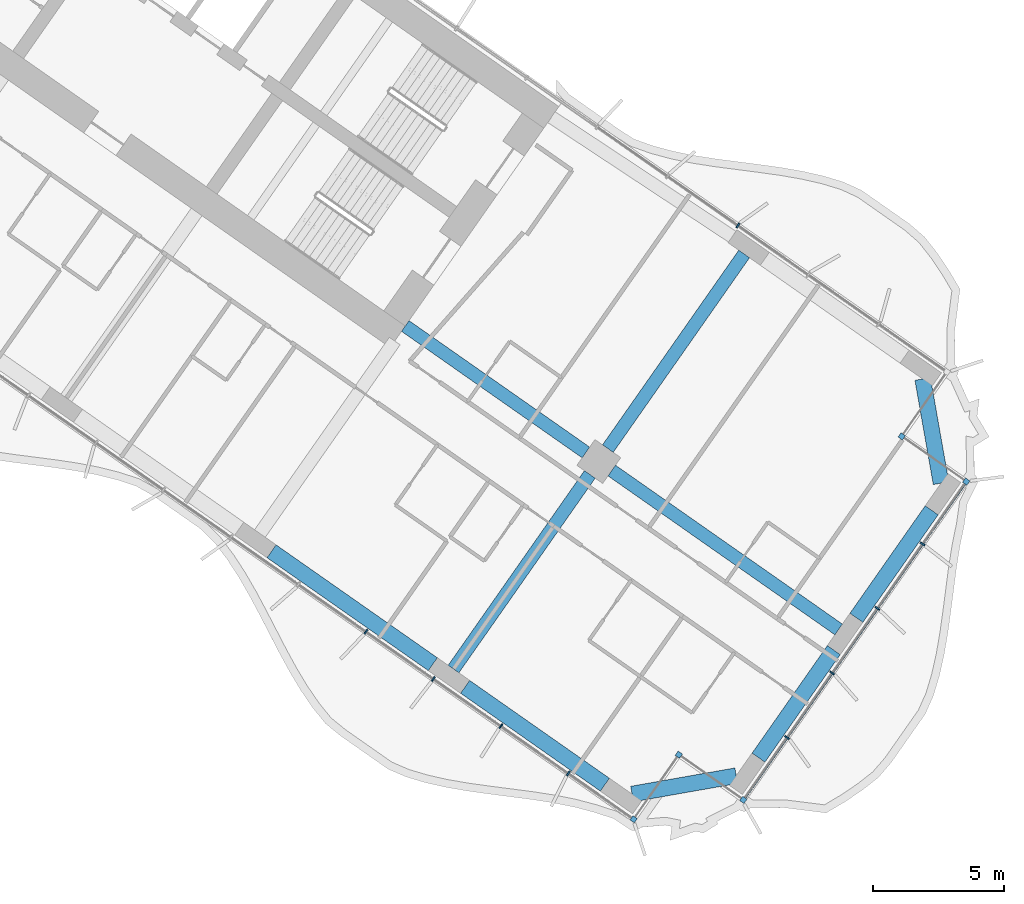
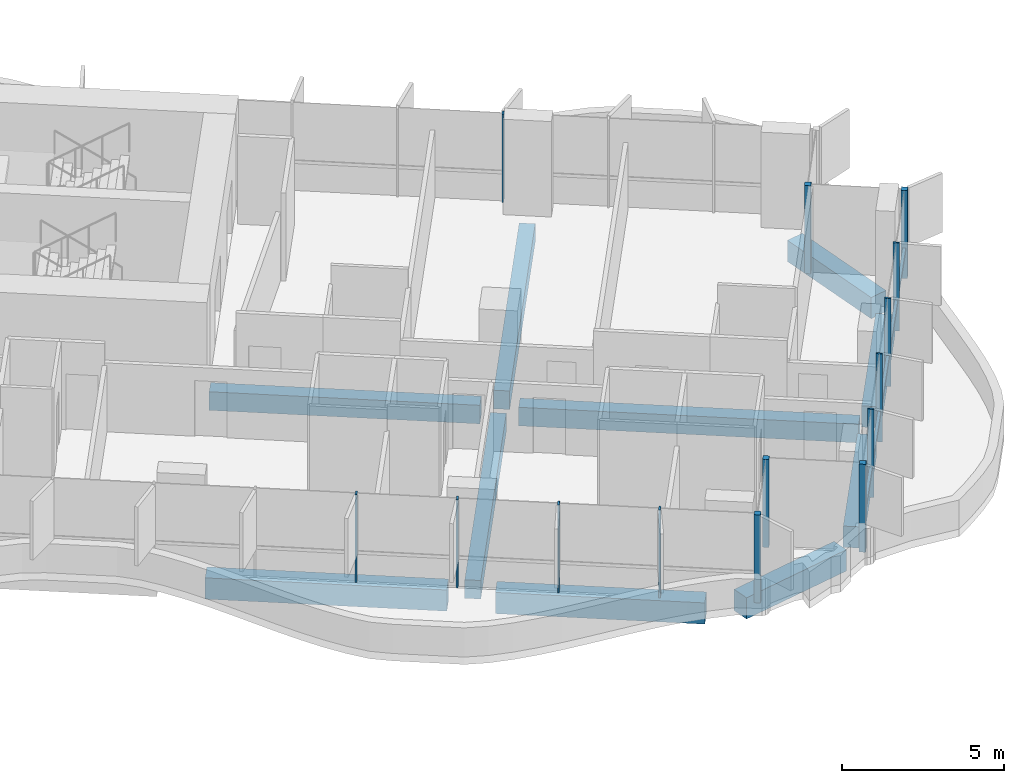
# One storey, part 9 of 24: 15 members, 10 beams, 1 element without a shape of its own.
"""IFC4 building model written with IfcOpenShell, lengths in metres."""

from ifc_helpers import new_model, si_unit, direction, frame, origin, origin_2d, place, context, subcontext, project, spatial, rectangle, extrude, material, material_profile, profile_set, type_object, element, aggregate, save


model = new_model("IFC4")

# Units and contexts
model_context = context("Model", 3, precision=1e-05, world=origin(), true_north=direction((0.0, 1.0)))
body_context = subcontext(model_context, "Body", "Model", "MODEL_VIEW")
ifc_project = project(units=[si_unit("LENGTHUNIT", "METRE"), si_unit("AREAUNIT", "SQUARE_METRE"), si_unit("VOLUMEUNIT", "CUBIC_METRE"), si_unit("PLANEANGLEUNIT", "RADIAN"), si_unit("MASSUNIT", "GRAM", prefix="KILO")], contexts=[model_context])

# Site, building, storey
site_placement = place(None, origin())
site = spatial("IfcSite", under=ifc_project, at=site_placement, CompositionType="ELEMENT")
building_placement = place(site_placement, origin())
building = spatial("IfcBuilding", under=site, at=building_placement, Name="Tel Ilan Convention Tower", CompositionType="ELEMENT")
storey_placement = place(building_placement, frame((0.0, 0.0, 68.89990234375)))
storey = spatial("IfcBuildingStorey", under=building, at=storey_placement, Name="L12", CompositionType="ELEMENT", Elevation=68.89990234375)

# Beams
ifc_material_1 = material(Name="Concrete C40/50", Category="concrete")
ifc_material_profile_1 = material_profile(ifc_material_1, rectangle(XDim=0.5, YDim=0.699951171875, at=origin_2d()), Name="RC 500x700")
ifc_profile_set_1 = profile_set([ifc_material_profile_1], Name="Concrete C40/50")
beam_type_1 = type_object("IfcBeamType", Name="Beam RC 500x700 Concrete C40/50", PredefinedType="BEAM", material=ifc_profile_set_1)
beam_1_placement = place(storey_placement, frame((22.1171875, -15.486572265625, -0.6298828125), z_axis=(0.819147254605, -0.573583276668, 0.0), x_axis=(0.573583276668, 0.819147254605, 0.0)))
element("IfcBeam", 1, at=beam_1_placement, inside=storey, type_object=beam_type_1, Name="L12 beam E-core-E-M4", PredefinedType="BEAM", context=body_context, shape_type="SweptSolid", body=[
    extrude(rectangle(XDim=0.5, YDim=0.699951171875, at=origin_2d()), origin(), (0.0, 0.0, 1.0), 8.400146484375),
])
beam_2_placement = place(storey_placement, frame((29.98095703125, -20.992919921875, -0.6298828125), z_axis=(0.819151461915, -0.573577268067, 0.0), x_axis=(0.573577268067, 0.819151461915, 0.0)))
element("IfcBeam", 2, at=beam_2_placement, inside=storey, type_object=beam_type_1, Name="L12 beam E-E-M4-end", PredefinedType="BEAM", context=body_context, shape_type="SweptSolid", body=[
    extrude(rectangle(XDim=0.5, YDim=0.699951171875, at=origin_2d()), origin(), (0.0, 0.0, 1.0), 10.550048828125),
])
for number, where, z_axis, x_axis, name in (
    (3, (29.145263671875, -21.14013671875, -0.6298828125), (-0.573549245583, -0.819171082798, 0.0), (0.819171082798, -0.573549245583, 0.0), "L12 beam E-E-M4-E-F4"),
    (4, (29.83349609375, -20.1572265625, -0.6298828125), (0.57358002233, 0.819149533348, 0.0), (-0.819149533348, 0.57358002233, 0.0), "L12 beam E-E-M4-E-B4"),
):
    element("IfcBeam", number, at=place(storey_placement, frame(where, z_axis=z_axis, x_axis=x_axis)), inside=storey, type_object=beam_type_1, Name=name, PredefinedType="BEAM", context=body_context, shape_type="SweptSolid", body=[
        extrude(rectangle(XDim=0.5, YDim=0.699951171875, at=origin_2d()), origin(), (0.0, 0.0, 1.0), 9.050048828125),
    ])
ifc_material_2 = material(Name="Concrete C40/50", Category="concrete")
ifc_material_profile_2 = material_profile(ifc_material_2, rectangle(XDim=0.60009765625, YDim=0.800048828125, at=origin_2d()), Name="RC 600x800")
ifc_profile_set_2 = profile_set([ifc_material_profile_2], Name="Concrete C40/50")
beam_type_2 = type_object("IfcBeamType", Name="Beam RC 600x800 Concrete C40/50", PredefinedType="BEAM", material=ifc_profile_set_2)
beam_3_placement = place(storey_placement, frame((17.0244140625, -24.0673828125, -0.679931640625), z_axis=(0.81915238829, -0.573575945067, 0.0), x_axis=(0.573575945067, 0.81915238829, 0.0)))
element("IfcBeam", 5, at=beam_3_placement, inside=storey, type_object=beam_type_2, Name="L12 beam E-E-F3-E-F4", PredefinedType="BEAM", context=body_context, shape_type="SweptSolid", body=[
    extrude(rectangle(XDim=0.60009765625, YDim=0.800048828125, at=origin_2d()), origin(), (0.0, 0.0, 1.0), 7.5),
])
beam_4_placement = place(storey_placement, frame((24.396728515625, -29.2294921875, -0.679931640625), z_axis=(0.819148977158, -0.573580816643, 0.0), x_axis=(0.573580816643, 0.819148977158, 0.0)))
element("IfcBeam", 6, at=beam_4_placement, inside=storey, type_object=beam_type_2, Name="L12 beam E-E-F4-E-FC", PredefinedType="BEAM", context=body_context, shape_type="SweptSolid", body=[
    extrude(rectangle(XDim=0.60009765625, YDim=0.800048828125, at=origin_2d()), origin(), (0.0, 0.0, 1.0), 6.5),
])
beam_5_placement = place(storey_placement, frame((30.75341796875, -33.314208984375, -0.679931640625), z_axis=(0.984815252405, 0.173605641124, 0.0), x_axis=(-0.173605641124, 0.984815252405, 0.0)))
element("IfcBeam", 7, at=beam_5_placement, inside=storey, type_object=beam_type_2, Name="L12 beam E-E-FC-E-E1", PredefinedType="BEAM", context=body_context, shape_type="SweptSolid", body=[
    extrude(rectangle(XDim=0.60009765625, YDim=0.800048828125, at=origin_2d()), origin(), (0.0, 0.0, 1.0), 4.030517578125),
])
for number, where, z_axis, x_axis, name in (
    (8, (35.57080078125, -31.92626953125, -0.679931640625), (0.573586866468, 0.819144740944, 0.0), (-0.819144740944, 0.573586866468, 0.0), "L12 beam E-E-E1-E-E2"),
    (9, (39.298828125, -26.601806640625, -0.679931640625), (0.573586866468, 0.819144740944, 0.0), (-0.819144740944, 0.573586866468, 0.0), "L12 beam E-E-E2-E-E3"),
):
    element("IfcBeam", number, at=place(storey_placement, frame(where, z_axis=z_axis, x_axis=x_axis)), inside=storey, type_object=beam_type_2, Name=name, PredefinedType="BEAM", context=body_context, shape_type="SweptSolid", body=[
        extrude(rectangle(XDim=0.60009765625, YDim=0.800048828125, at=origin_2d()), origin(), (0.0, 0.0, 1.0), 5.0),
    ])
beam_6_placement = place(storey_placement, frame((42.523193359375, -21.473876953125, -0.679931640625), z_axis=(-0.173605641124, 0.984815252405, 0.0), x_axis=(-0.984815252405, -0.173605641124, 0.0)))
element("IfcBeam", 10, at=beam_6_placement, inside=storey, type_object=beam_type_2, Name="L12 beam E-E-E3-E-BC", PredefinedType="BEAM", context=body_context, shape_type="SweptSolid", body=[
    extrude(rectangle(XDim=0.60009765625, YDim=0.800048828125, at=origin_2d()), origin(), (0.0, 0.0, 1.0), 4.030517578125),
])

# Curtain wall, members
ifc_material_3 = material(Name="Aluminium, bronze anodised", Category="aluminium")
curtain_wall_type = type_object("IfcCurtainWallType", Name="CW1 UNITISED CURTAIN WALL, HOTEL TINTED GLASS", PredefinedType="NOTDEFINED", material=ifc_material_3)
curtain_wall_placement = place(storey_placement, origin())
curtain_wall = element("IfcCurtainWall", 11, at=curtain_wall_placement, inside=storey, type_object=curtain_wall_type, Name="Curtain wall CW1-12.02", PredefinedType="NOTDEFINED")
ifc_material_4 = material(Name="Aluminium, bronze anodised", Category="aluminium")
ifc_material_profile_3 = material_profile(ifc_material_4, rectangle(XDim=0.199951171875, YDim=0.199951171875, at=origin_2d()), Name="CW CORNER MULLION 200x200")
ifc_profile_set_3 = profile_set([ifc_material_profile_3], Name="Aluminium, bronze anodised")
member_type_1 = type_object("IfcMemberType", Name="CW CORNER MULLION 200x200", PredefinedType="MULLION", material=ifc_profile_set_3)
member_1_placement = place(storey_placement, frame((30.814697265625, -34.272705078125, 0.0), z_axis=(0.0, 0.0, 1.0), x_axis=(0.819152044289, -0.573576436351, 0.0)))
member_1 = element("IfcMember", 12, at=member_1_placement, type_object=member_type_1, Name="Corner mullion", PredefinedType="MULLION", context=body_context, shape_type="SweptSolid", body=[
    extrude(rectangle(XDim=0.199951171875, YDim=0.199951171875, at=origin_2d()), origin(), (0.0, 0.0, 1.0), 3.320068359375),
])
member_2_placement = place(storey_placement, frame((32.535400390625, -31.815185546875, 0.0), z_axis=(0.0, 0.0, 1.0), x_axis=(0.573576436351, 0.819152044289, 0.0)))
member_2 = element("IfcMember", 13, at=member_2_placement, type_object=member_type_1, Name="Corner mullion", PredefinedType="MULLION", context=body_context, shape_type="SweptSolid", body=[
    extrude(rectangle(XDim=0.199951171875, YDim=0.199951171875, at=origin_2d()), origin(), (0.0, 0.0, 1.0), 3.320068359375),
])
member_3_placement = place(storey_placement, frame((34.992919921875, -33.5361328125, 0.0), z_axis=(0.0, 0.0, 1.0), x_axis=(0.819152044289, -0.573576436351, 0.0)))
member_3 = element("IfcMember", 14, at=member_3_placement, type_object=member_type_1, Name="Corner mullion", PredefinedType="MULLION", context=body_context, shape_type="SweptSolid", body=[
    extrude(rectangle(XDim=0.199951171875, YDim=0.199951171875, at=origin_2d()), origin(), (0.0, 0.0, 1.0), 3.320068359375),
])
member_4_placement = place(storey_placement, frame((43.48193359375, -21.41259765625, 0.0), z_axis=(0.0, 0.0, 1.0), x_axis=(0.573576436351, 0.819152044289, 0.0)))
member_4 = element("IfcMember", 15, at=member_4_placement, type_object=member_type_1, Name="Corner mullion", PredefinedType="MULLION", context=body_context, shape_type="SweptSolid", body=[
    extrude(rectangle(XDim=0.199951171875, YDim=0.199951171875, at=origin_2d()), origin(), (0.0, 0.0, 1.0), 3.320068359375),
])
member_5_placement = place(storey_placement, frame((41.0244140625, -19.69189453125, 0.0), z_axis=(0.0, 0.0, 1.0), x_axis=(-0.819152044289, 0.573576436351, 0.0)))
member_5 = element("IfcMember", 16, at=member_5_placement, type_object=member_type_1, Name="Corner mullion", PredefinedType="MULLION", context=body_context, shape_type="SweptSolid", body=[
    extrude(rectangle(XDim=0.199951171875, YDim=0.199951171875, at=origin_2d()), origin(), (0.0, 0.0, 1.0), 3.320068359375),
])
ifc_material_5 = material(Name="Aluminium, bronze anodised", Category="aluminium")
ifc_material_profile_4 = material_profile(ifc_material_5, rectangle(XDim=0.06005859375, YDim=0.199951171875, at=origin_2d()), Name="CW MULLION 60x200")
ifc_profile_set_4 = profile_set([ifc_material_profile_4], Name="Aluminium, bronze anodised")
member_type_2 = type_object("IfcMemberType", Name="CW MULLION 60x200", PredefinedType="MULLION", material=ifc_profile_set_4)
member_6_placement = place(storey_placement, frame((20.616943359375, -27.132080078125, 0.0), z_axis=(0.0, 0.0, 1.0), x_axis=(0.819152044289, -0.573576436351, 0.0)))
member_6 = element("IfcMember", 17, at=member_6_placement, type_object=member_type_2, Name="Mullion", PredefinedType="MULLION", context=body_context, shape_type="SweptSolid", body=[
    extrude(rectangle(XDim=0.06005859375, YDim=0.199951171875, at=origin_2d()), origin(), (0.0, 0.0, 1.0), 3.320068359375),
])
member_7_placement = place(storey_placement, frame((23.186767578125, -28.931640625, 0.0), z_axis=(0.0, 0.0, 1.0), x_axis=(0.819152044289, -0.573576436351, 0.0)))
member_7 = element("IfcMember", 18, at=member_7_placement, type_object=member_type_2, Name="Mullion", PredefinedType="MULLION", context=body_context, shape_type="SweptSolid", body=[
    extrude(rectangle(XDim=0.06005859375, YDim=0.199951171875, at=origin_2d()), origin(), (0.0, 0.0, 1.0), 3.320068359375),
])
member_8_placement = place(storey_placement, frame((25.7568359375, -30.731201171875, 0.0), z_axis=(0.0, 0.0, 1.0), x_axis=(0.819152044289, -0.573576436351, 0.0)))
member_8 = element("IfcMember", 19, at=member_8_placement, type_object=member_type_2, Name="Mullion", PredefinedType="MULLION", context=body_context, shape_type="SweptSolid", body=[
    extrude(rectangle(XDim=0.06005859375, YDim=0.199951171875, at=origin_2d()), origin(), (0.0, 0.0, 1.0), 3.320068359375),
])
member_9_placement = place(storey_placement, frame((28.32666015625, -32.530517578125, 0.0), z_axis=(0.0, 0.0, 1.0), x_axis=(0.819152044289, -0.573576436351, 0.0)))
member_9 = element("IfcMember", 20, at=member_9_placement, type_object=member_type_2, Name="Mullion", PredefinedType="MULLION", context=body_context, shape_type="SweptSolid", body=[
    extrude(rectangle(XDim=0.06005859375, YDim=0.199951171875, at=origin_2d()), origin(), (0.0, 0.0, 1.0), 3.320068359375),
])
member_10_placement = place(storey_placement, frame((36.65625, -31.160400390625, 0.0), z_axis=(0.0, 0.0, 1.0), x_axis=(0.573576436351, 0.819152044289, 0.0)))
member_10 = element("IfcMember", 21, at=member_10_placement, type_object=member_type_2, Name="Mullion", PredefinedType="MULLION", context=body_context, shape_type="SweptSolid", body=[
    extrude(rectangle(XDim=0.06005859375, YDim=0.199951171875, at=origin_2d()), origin(), (0.0, 0.0, 1.0), 3.320068359375),
])
member_11_placement = place(storey_placement, frame((38.376953125, -28.703125, 0.0), z_axis=(0.0, 0.0, 1.0), x_axis=(0.573576436351, 0.819152044289, 0.0)))
member_11 = element("IfcMember", 22, at=member_11_placement, type_object=member_type_2, Name="Mullion", PredefinedType="MULLION", context=body_context, shape_type="SweptSolid", body=[
    extrude(rectangle(XDim=0.06005859375, YDim=0.199951171875, at=origin_2d()), origin(), (0.0, 0.0, 1.0), 3.320068359375),
])
member_12_placement = place(storey_placement, frame((40.09765625, -26.24560546875, 0.0), z_axis=(0.0, 0.0, 1.0), x_axis=(0.573576436351, 0.819152044289, 0.0)))
member_12 = element("IfcMember", 23, at=member_12_placement, type_object=member_type_2, Name="Mullion", PredefinedType="MULLION", context=body_context, shape_type="SweptSolid", body=[
    extrude(rectangle(XDim=0.06005859375, YDim=0.199951171875, at=origin_2d()), origin(), (0.0, 0.0, 1.0), 3.320068359375),
])
member_13_placement = place(storey_placement, frame((41.818359375, -23.7880859375, 0.0), z_axis=(0.0, 0.0, 1.0), x_axis=(0.573576436351, 0.819152044289, 0.0)))
member_13 = element("IfcMember", 24, at=member_13_placement, type_object=member_type_2, Name="Mullion", PredefinedType="MULLION", context=body_context, shape_type="SweptSolid", body=[
    extrude(rectangle(XDim=0.06005859375, YDim=0.199951171875, at=origin_2d()), origin(), (0.0, 0.0, 1.0), 3.320068359375),
])
member_14_placement = place(storey_placement, frame((34.7861328125, -11.66162109375, 0.0), z_axis=(0.0, 0.0, 1.0), x_axis=(-0.819152044289, 0.573576436351, 0.0)))
member_14 = element("IfcMember", 25, at=member_14_placement, type_object=member_type_2, Name="Mullion", PredefinedType="MULLION", context=body_context, shape_type="SweptSolid", body=[
    extrude(rectangle(XDim=0.06005859375, YDim=0.199951171875, at=origin_2d()), origin(), (0.0, 0.0, 1.0), 3.320068359375),
])
ifc_material_6 = material(Name="Aluminium, bronze anodised", Category="aluminium")
ifc_material_profile_5 = material_profile(ifc_material_6, rectangle(XDim=0.10009765625, YDim=0.1201171875, at=origin_2d()), Name="CW TRANSOM 100x120")
ifc_profile_set_5 = profile_set([ifc_material_profile_5], Name="Aluminium, bronze anodised")
member_type_3 = type_object("IfcMemberType", Name="CW TRANSOM 100x120", PredefinedType="USERDEFINED", material=ifc_profile_set_5)
member_15_placement = place(storey_placement, frame((35.05029296875, -33.4541015625, 1.10009765625), z_axis=(0.573575688231, 0.819152568128, 0.0), x_axis=(-0.819152568128, 0.573575688231, 0.0)))
member_15 = element("IfcMember", 26, at=member_15_placement, type_object=member_type_3, Name="Transom", ObjectType="TRANSOM", PredefinedType="USERDEFINED", context=body_context, shape_type="SweptSolid", body=[
    extrude(rectangle(XDim=0.10009765625, YDim=0.1201171875, at=origin_2d()), origin(), (0.0, 0.0, 1.0), 14.60009765625),
])
aggregate(curtain_wall, [member_6, member_7, member_8, member_9, member_1, member_2, member_3, member_10, member_11, member_12, member_13, member_4, member_15, member_5, member_14])

save(model, "model.ifc")
